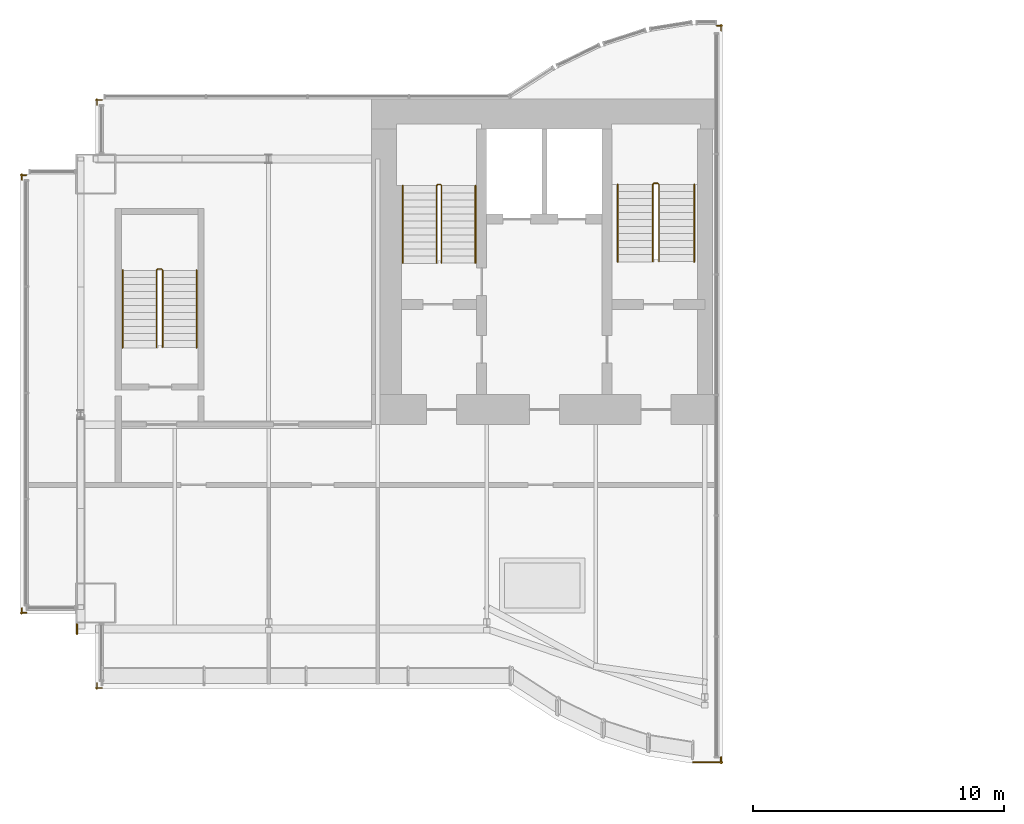
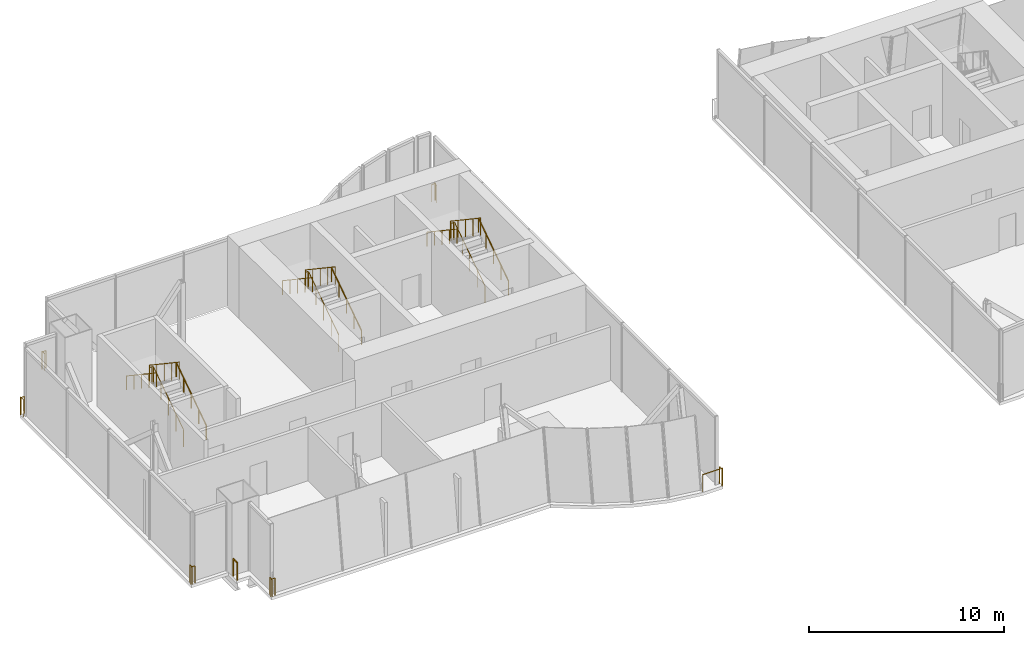
# One storey, part 12 of 14: 16 railings.
"""IFC4 building model written with IfcOpenShell, lengths in metres."""

from ifc_helpers import new_model, si_unit, direction, frame, origin, origin_2d, place, context, subcontext, project, spatial, circle, extrude, material, type_object, element, save


model = new_model("IFC4")

# Units and contexts
model_context = context("Model", 3, precision=1e-05, world=origin(), true_north=direction((0.0, 1.0)))
body_context = subcontext(model_context, "Body", "Model", "MODEL_VIEW")
ifc_project = project(units=[si_unit("LENGTHUNIT", "METRE"), si_unit("AREAUNIT", "SQUARE_METRE"), si_unit("VOLUMEUNIT", "CUBIC_METRE"), si_unit("PLANEANGLEUNIT", "RADIAN"), si_unit("MASSUNIT", "GRAM", prefix="KILO")], contexts=[model_context])

# Site, building, storey
site_placement = place(None, origin())
site = spatial("IfcSite", under=ifc_project, at=site_placement, CompositionType="ELEMENT")
building_placement = place(site_placement, origin())
building = spatial("IfcBuilding", under=site, at=building_placement, Name="Bicima Exchange Tower", CompositionType="ELEMENT")
storey_placement = place(building_placement, frame((0.0, 0.0, 352.39990234375)))
storey = spatial("IfcBuildingStorey", under=building, at=storey_placement, Name="L79", CompositionType="ELEMENT", Elevation=352.39990234375)

# Railings
ifc_material_1 = material(Name="Stainless steel and bonded safety glass", Category="steel")
railing_type_1 = type_object("IfcRailingType", Name="Edge guard 1100", PredefinedType="GUARDRAIL", material=ifc_material_1)
railing_1_placement = place(storey_placement, frame((-35.756103515625, -20.506103515625, 0.0)))
element("IfcRailing", 1, at=railing_1_placement, inside=storey, type_object=railing_type_1, Name="Edge guard L79 424", PredefinedType="GUARDRAIL", context=body_context, shape_type="SweptSolid", body=[
    extrude(circle(Radius=0.02392578125, at=origin_2d()), frame((0.0, 0.0, 1.076171875), z_axis=(-1.0, 0.0, 0.0), x_axis=(0.0, -1.0, 0.0)), (0.0, 0.0, 1.0), 0.243896484375),
    extrude(circle(Radius=0.02392578125, at=origin_2d()), frame((-0.243896484375, 0.0, 1.076171875), z_axis=(0.708833529934, -0.705375805398, 0.0), x_axis=(0.705375805398, 0.708833529934, 0.0)), (0.0, 0.0, 1.0), 0.070556640625),
    extrude(circle(Radius=0.02392578125, at=origin_2d()), frame((-0.19384765625, -0.0498046875, 1.076171875), z_axis=(0.0, 1.0, 0.0), x_axis=(-1.0, 0.0, 0.0)), (0.0, 0.0, 1.0), 0.247802734375),
    extrude(circle(Radius=0.02099609375, at=origin_2d()), origin(), (0.0, 0.0, 1.0), 1.052001953125),
    extrude(circle(Radius=0.02099609375, at=origin_2d()), frame((-0.243896484375, 0.0, 0.0)), (0.0, 0.0, 1.0), 1.052001953125),
    extrude(circle(Radius=0.02099609375, at=origin_2d()), frame((-0.19384765625, -0.0498046875, 0.0)), (0.0, 0.0, 1.0), 1.052001953125),
    extrude(circle(Radius=0.02099609375, at=origin_2d()), frame((-0.19384765625, 0.197998046875, 0.0)), (0.0, 0.0, 1.0), 1.052001953125),
])
railing_2_placement = place(storey_placement, frame((-35.949951171875, -3.2470703125, 0.0)))
element("IfcRailing", 2, at=railing_2_placement, inside=storey, type_object=railing_type_1, Name="Edge guard L79 425", PredefinedType="GUARDRAIL", context=body_context, shape_type="SweptSolid", body=[
    extrude(circle(Radius=0.02392578125, at=origin_2d()), frame((0.0, 0.0, 1.076171875), z_axis=(0.0, 1.0, 0.0), x_axis=(-1.0, 0.0, 0.0)), (0.0, 0.0, 1.0), 0.2470703125),
    extrude(circle(Radius=0.02392578125, at=origin_2d()), frame((0.0, 0.2470703125, 1.076171875), z_axis=(-0.707106781187, -0.707106781187, 0.0), x_axis=(0.707106781187, -0.707106781187, 0.0)), (0.0, 0.0, 1.0), 0.07080078125),
    extrude(circle(Radius=0.02392578125, at=origin_2d()), frame((-0.050048828125, 0.197021484375, 1.076171875), z_axis=(1.0, 0.0, 0.0), x_axis=(0.0, 1.0, 0.0)), (0.0, 0.0, 1.0), 0.243896484375),
    extrude(circle(Radius=0.02099609375, at=origin_2d()), origin(), (0.0, 0.0, 1.0), 1.052001953125),
    extrude(circle(Radius=0.02099609375, at=origin_2d()), frame((0.0, 0.2470703125, 0.0)), (0.0, 0.0, 1.0), 1.052001953125),
    extrude(circle(Radius=0.02099609375, at=origin_2d()), frame((-0.050048828125, 0.197021484375, 0.0)), (0.0, 0.0, 1.0), 1.052001953125),
    extrude(circle(Radius=0.02099609375, at=origin_2d()), frame((0.19384765625, 0.197021484375, 0.0)), (0.0, 0.0, 1.0), 1.052001953125),
])
railing_3_placement = place(storey_placement, frame((-32.949951171875, -0.243896484375, 0.0)))
element("IfcRailing", 3, at=railing_3_placement, inside=storey, type_object=railing_type_1, Name="Edge guard L79 426", PredefinedType="GUARDRAIL", context=body_context, shape_type="SweptSolid", body=[
    extrude(circle(Radius=0.02392578125, at=origin_2d()), frame((0.0, 0.0, 1.076171875), z_axis=(0.0, 1.0, 0.0), x_axis=(-1.0, 0.0, 0.0)), (0.0, 0.0, 1.0), 0.243896484375),
    extrude(circle(Radius=0.02392578125, at=origin_2d()), frame((0.0, 0.243896484375, 1.076171875), z_axis=(-0.707106781187, -0.707106781187, 0.0), x_axis=(0.707106781187, -0.707106781187, 0.0)), (0.0, 0.0, 1.0), 0.07080078125),
    extrude(circle(Radius=0.02392578125, at=origin_2d()), frame((-0.050048828125, 0.19384765625, 1.076171875), z_axis=(1.0, 0.0, 0.0), x_axis=(0.0, 1.0, 0.0)), (0.0, 0.0, 1.0), 0.25),
    extrude(circle(Radius=0.02099609375, at=origin_2d()), origin(), (0.0, 0.0, 1.0), 1.052001953125),
    extrude(circle(Radius=0.02099609375, at=origin_2d()), frame((0.0, 0.243896484375, 0.0)), (0.0, 0.0, 1.0), 1.052001953125),
    extrude(circle(Radius=0.02099609375, at=origin_2d()), frame((-0.050048828125, 0.19384765625, 0.0)), (0.0, 0.0, 1.0), 1.052001953125),
    extrude(circle(Radius=0.02099609375, at=origin_2d()), frame((0.199951171875, 0.19384765625, 0.0)), (0.0, 0.0, 1.0), 1.052001953125),
])
railing_4_placement = place(storey_placement, frame((-8.23291015625, 2.9130859375, 0.0)))
element("IfcRailing", 4, at=railing_4_placement, inside=storey, type_object=railing_type_1, Name="Edge guard L79 427", PredefinedType="GUARDRAIL", context=body_context, shape_type="SweptSolid", body=[
    extrude(circle(Radius=0.02392578125, at=origin_2d()), frame((0.0, 0.0, 1.076171875), z_axis=(1.0, 0.0, 0.0), x_axis=(0.0, 1.0, 0.0)), (0.0, 0.0, 1.0), 0.23291015625),
    extrude(circle(Radius=0.02392578125, at=origin_2d()), frame((0.23291015625, 0.0, 1.076171875), z_axis=(-0.708833529934, 0.705375805398, 0.0), x_axis=(-0.705375805398, -0.708833529934, 0.0)), (0.0, 0.0, 1.0), 0.070556640625),
    extrude(circle(Radius=0.02392578125, at=origin_2d()), frame((0.182861328125, 0.0498046875, 1.076171875), z_axis=(0.0, -1.0, 0.0), x_axis=(1.0, 0.0, 0.0)), (0.0, 0.0, 1.0), 0.25),
    extrude(circle(Radius=0.02099609375, at=origin_2d()), origin(), (0.0, 0.0, 1.0), 1.052001953125),
    extrude(circle(Radius=0.02099609375, at=origin_2d()), frame((0.23291015625, 0.0, 0.0)), (0.0, 0.0, 1.0), 1.052001953125),
    extrude(circle(Radius=0.02099609375, at=origin_2d()), frame((0.182861328125, 0.0498046875, 0.0)), (0.0, 0.0, 1.0), 1.052001953125),
    extrude(circle(Radius=0.02099609375, at=origin_2d()), frame((0.182861328125, -0.2001953125, 0.0)), (0.0, 0.0, 1.0), 1.052001953125),
])
railing_5_placement = place(storey_placement, frame((-8.050048828125, -26.26904296875, 0.0)))
element("IfcRailing", 5, at=railing_5_placement, inside=storey, type_object=railing_type_1, Name="Edge guard L79 428", PredefinedType="GUARDRAIL", context=body_context, shape_type="SweptSolid", body=[
    extrude(circle(Radius=0.02392578125, at=origin_2d()), frame((0.0, 0.0, 1.076171875), z_axis=(0.0, -1.0, 0.0), x_axis=(1.0, 0.0, 0.0)), (0.0, 0.0, 1.0), 0.2490234375),
    extrude(circle(Radius=0.02392578125, at=origin_2d()), frame((0.0, -0.2490234375, 1.076171875), z_axis=(0.707106781187, 0.707106781187, 0.0), x_axis=(-0.707106781187, 0.707106781187, 0.0)), (0.0, 0.0, 1.0), 0.07080078125),
    extrude(circle(Radius=0.02392578125, at=origin_2d()), frame((0.050048828125, -0.198974609375, 1.076171875), z_axis=(-1.0, 0.0, 0.0), x_axis=(0.0, -1.0, 0.0)), (0.0, 0.0, 1.0), 1.1669921875),
    extrude(circle(Radius=0.02099609375, at=origin_2d()), origin(), (0.0, 0.0, 1.0), 1.052001953125),
    extrude(circle(Radius=0.02099609375, at=origin_2d()), frame((0.0, -0.2490234375, 0.0)), (0.0, 0.0, 1.0), 1.052001953125),
    extrude(circle(Radius=0.02099609375, at=origin_2d()), frame((0.050048828125, -0.198974609375, 0.0)), (0.0, 0.0, 1.0), 1.052001953125),
    extrude(circle(Radius=0.02099609375, at=origin_2d()), frame((-1.116943359375, -0.198974609375, 0.0)), (0.0, 0.0, 1.0), 1.052001953125),
])
railing_6_placement = place(storey_placement, frame((-32.75, -23.506103515625, 0.0)))
element("IfcRailing", 6, at=railing_6_placement, inside=storey, type_object=railing_type_1, Name="Edge guard L79 429", PredefinedType="GUARDRAIL", context=body_context, shape_type="SweptSolid", body=[
    extrude(circle(Radius=0.02392578125, at=origin_2d()), frame((0.0, 0.0, 1.076171875), z_axis=(-1.0, 0.0, 0.0), x_axis=(0.0, -1.0, 0.0)), (0.0, 0.0, 1.0), 0.25),
    extrude(circle(Radius=0.02392578125, at=origin_2d()), frame((-0.25, 0.0, 1.076171875), z_axis=(0.708833529934, -0.705375805398, 0.0), x_axis=(0.705375805398, 0.708833529934, 0.0)), (0.0, 0.0, 1.0), 0.070556640625),
    extrude(circle(Radius=0.02392578125, at=origin_2d()), frame((-0.199951171875, -0.0498046875, 1.076171875), z_axis=(0.0, 1.0, 0.0), x_axis=(-1.0, 0.0, 0.0)), (0.0, 0.0, 1.0), 0.244873046875),
    extrude(circle(Radius=0.02099609375, at=origin_2d()), origin(), (0.0, 0.0, 1.0), 1.052001953125),
    extrude(circle(Radius=0.02099609375, at=origin_2d()), frame((-0.25, 0.0, 0.0)), (0.0, 0.0, 1.0), 1.052001953125),
    extrude(circle(Radius=0.02099609375, at=origin_2d()), frame((-0.199951171875, -0.0498046875, 0.0)), (0.0, 0.0, 1.0), 1.052001953125),
    extrude(circle(Radius=0.02099609375, at=origin_2d()), frame((-0.199951171875, 0.195068359375, 0.0)), (0.0, 0.0, 1.0), 1.052001953125),
])
railing_7_placement = place(storey_placement, frame((-33.75, -21.35595703125, 0.0)))
element("IfcRailing", 7, at=railing_7_placement, inside=storey, type_object=railing_type_1, Name="Edge guard L79 430", PredefinedType="GUARDRAIL", context=body_context, shape_type="SweptSolid", body=[
    extrude(circle(Radius=0.02392578125, at=origin_2d()), frame((0.0, 0.0, 1.076171875), z_axis=(0.0, 1.0, 0.0), x_axis=(-1.0, 0.0, 0.0)), (0.0, 0.0, 1.0), 0.39990234375),
    extrude(circle(Radius=0.02099609375, at=origin_2d()), origin(), (0.0, 0.0, 1.0), 1.052001953125),
    extrude(circle(Radius=0.02099609375, at=origin_2d()), frame((0.0, 0.39990234375, 0.0)), (0.0, 0.0, 1.0), 1.052001953125),
])
ifc_material_2 = material(Name="Stainless steel", Category="steel")
railing_type_2 = type_object("IfcRailingType", Name="Stair guard 1100", PredefinedType="GUARDRAIL", material=ifc_material_2)
railing_8_placement = place(storey_placement, frame((-19.199951171875, -6.550048828125, 0.1875)))
element("IfcRailing", 8, at=railing_8_placement, inside=storey, type_object=railing_type_2, Name="L79 ST-W stair guard 1", PredefinedType="GUARDRAIL", context=body_context, shape_type="SweptSolid", body=[
    extrude(circle(Radius=0.02392578125, at=origin_2d()), frame((0.0, 0.0, 1.076171875), z_axis=(0.0, 0.830913701846, 0.55640131208), x_axis=(-1.0, 0.0, 0.0)), (0.0, 0.0, 1.0), 3.706787109375),
    extrude(circle(Radius=0.02392578125, at=origin_2d()), frame((0.0, 3.080078125, 3.138671875), z_axis=(-0.707106781187, 0.707106781187, 0.0), x_axis=(-0.707106781187, -0.707106781187, 0.0)), (0.0, 0.0, 1.0), 0.07080078125),
    extrude(circle(Radius=0.02392578125, at=origin_2d()), frame((-0.050048828125, 3.130126953125, 3.138671875), z_axis=(-1.0, 0.0, 0.0), x_axis=(0.0, -1.0, 0.0)), (0.0, 0.0, 1.0), 0.10009765625),
    extrude(circle(Radius=0.02392578125, at=origin_2d()), frame((-0.150146484375, 3.130126953125, 3.138671875), z_axis=(-0.248583702486, -0.249802250048, 0.935844527007), x_axis=(0.708833529934, -0.705375805398, 0.0)), (0.0, 0.0, 1.0), 0.200439453125),
    extrude(circle(Radius=0.02392578125, at=origin_2d()), frame((-0.199951171875, 3.080078125, 3.326171875), z_axis=(0.0, -0.830913701846, 0.55640131208), x_axis=(1.0, 0.0, 0.0)), (0.0, 0.0, 1.0), 3.706787109375),
    extrude(circle(Radius=0.02099609375, at=origin_2d()), origin(), (0.0, 0.0, 1.0), 1.052001953125),
    extrude(circle(Radius=0.02099609375, at=origin_2d()), frame((0.0, 0.77001953125, 0.515625)), (0.0, 0.0, 1.0), 1.052001953125),
    extrude(circle(Radius=0.02099609375, at=origin_2d()), frame((0.0, 1.5400390625, 1.03125)), (0.0, 0.0, 1.0), 1.052001953125),
    extrude(circle(Radius=0.02099609375, at=origin_2d()), frame((0.0, 2.31005859375, 1.546875)), (0.0, 0.0, 1.0), 1.052001953125),
    extrude(circle(Radius=0.02099609375, at=origin_2d()), frame((0.0, 3.080078125, 2.0625)), (0.0, 0.0, 1.0), 1.052001953125),
    extrude(circle(Radius=0.02099609375, at=origin_2d()), frame((-0.050048828125, 3.130126953125, 2.0625)), (0.0, 0.0, 1.0), 1.052001953125),
    extrude(circle(Radius=0.02099609375, at=origin_2d()), frame((-0.150146484375, 3.130126953125, 2.0625)), (0.0, 0.0, 1.0), 1.052001953125),
    extrude(circle(Radius=0.02099609375, at=origin_2d()), frame((-0.199951171875, 3.080078125, 2.25)), (0.0, 0.0, 1.0), 1.052001953125),
    extrude(circle(Radius=0.02099609375, at=origin_2d()), frame((-0.199951171875, 2.31005859375, 2.765625)), (0.0, 0.0, 1.0), 1.052001953125),
    extrude(circle(Radius=0.02099609375, at=origin_2d()), frame((-0.199951171875, 1.5400390625, 3.28125)), (0.0, 0.0, 1.0), 1.052001953125),
    extrude(circle(Radius=0.02099609375, at=origin_2d()), frame((-0.199951171875, 0.77001953125, 3.796875)), (0.0, 0.0, 1.0), 1.052001953125),
    extrude(circle(Radius=0.02099609375, at=origin_2d()), frame((-0.199951171875, 0.0, 4.3125)), (0.0, 0.0, 1.0), 1.052001953125),
])
railing_9_placement = place(storey_placement, frame((-10.52490234375, -6.5, 0.1875)))
element("IfcRailing", 9, at=railing_9_placement, inside=storey, type_object=railing_type_2, Name="L79 ST-CR stair guard 1", PredefinedType="GUARDRAIL", context=body_context, shape_type="SweptSolid", body=[
    extrude(circle(Radius=0.02392578125, at=origin_2d()), frame((0.0, 0.0, 1.076171875), z_axis=(0.0, 0.830913701846, 0.55640131208), x_axis=(-1.0, 0.0, 0.0)), (0.0, 0.0, 1.0), 3.706787109375),
    extrude(circle(Radius=0.02392578125, at=origin_2d()), frame((0.0, 3.080078125, 3.138671875), z_axis=(-0.708833529934, 0.705375805398, 0.0), x_axis=(-0.705375805398, -0.708833529934, 0.0)), (0.0, 0.0, 1.0), 0.070556640625),
    extrude(circle(Radius=0.02392578125, at=origin_2d()), frame((-0.050048828125, 3.1298828125, 3.138671875), z_axis=(-1.0, 0.0, 0.0), x_axis=(0.0, -1.0, 0.0)), (0.0, 0.0, 1.0), 0.150146484375),
    extrude(circle(Radius=0.02392578125, at=origin_2d()), frame((-0.2001953125, 3.1298828125, 3.138671875), z_axis=(-0.248659220195, -0.248659220195, 0.936128828968), x_axis=(0.707106781187, -0.707106781187, 0.0)), (0.0, 0.0, 1.0), 0.2001953125),
    extrude(circle(Radius=0.02392578125, at=origin_2d()), frame((-0.25, 3.080078125, 3.326171875), z_axis=(0.0, -0.830913701846, 0.55640131208), x_axis=(1.0, 0.0, 0.0)), (0.0, 0.0, 1.0), 3.706787109375),
    extrude(circle(Radius=0.02099609375, at=origin_2d()), origin(), (0.0, 0.0, 1.0), 1.052001953125),
    extrude(circle(Radius=0.02099609375, at=origin_2d()), frame((0.0, 0.77001953125, 0.515625)), (0.0, 0.0, 1.0), 1.052001953125),
    extrude(circle(Radius=0.02099609375, at=origin_2d()), frame((0.0, 1.5400390625, 1.03125)), (0.0, 0.0, 1.0), 1.052001953125),
    extrude(circle(Radius=0.02099609375, at=origin_2d()), frame((0.0, 2.31005859375, 1.546875)), (0.0, 0.0, 1.0), 1.052001953125),
    extrude(circle(Radius=0.02099609375, at=origin_2d()), frame((0.0, 3.080078125, 2.0625)), (0.0, 0.0, 1.0), 1.052001953125),
    extrude(circle(Radius=0.02099609375, at=origin_2d()), frame((-0.050048828125, 3.1298828125, 2.0625)), (0.0, 0.0, 1.0), 1.052001953125),
    extrude(circle(Radius=0.02099609375, at=origin_2d()), frame((-0.2001953125, 3.1298828125, 2.0625)), (0.0, 0.0, 1.0), 1.052001953125),
    extrude(circle(Radius=0.02099609375, at=origin_2d()), frame((-0.25, 3.080078125, 2.25)), (0.0, 0.0, 1.0), 1.052001953125),
    extrude(circle(Radius=0.02099609375, at=origin_2d()), frame((-0.25, 2.31005859375, 2.765625)), (0.0, 0.0, 1.0), 1.052001953125),
    extrude(circle(Radius=0.02099609375, at=origin_2d()), frame((-0.25, 1.5400390625, 3.28125)), (0.0, 0.0, 1.0), 1.052001953125),
    extrude(circle(Radius=0.02099609375, at=origin_2d()), frame((-0.25, 0.77001953125, 3.796875)), (0.0, 0.0, 1.0), 1.052001953125),
    extrude(circle(Radius=0.02099609375, at=origin_2d()), frame((-0.25, 0.0, 4.3125)), (0.0, 0.0, 1.0), 1.052001953125),
])
railing_10_placement = place(storey_placement, frame((-30.324951171875, -9.925048828125, 0.1875)))
element("IfcRailing", 10, at=railing_10_placement, inside=storey, type_object=railing_type_2, Name="L79 ST-WW stair guard 1", PredefinedType="GUARDRAIL", context=body_context, shape_type="SweptSolid", body=[
    extrude(circle(Radius=0.02392578125, at=origin_2d()), frame((0.0, 0.0, 1.076171875), z_axis=(0.0, 0.830913701846, 0.55640131208), x_axis=(-1.0, 0.0, 0.0)), (0.0, 0.0, 1.0), 3.706787109375),
    extrude(circle(Radius=0.02392578125, at=origin_2d()), frame((0.0, 3.080078125, 3.138671875), z_axis=(-0.707106781187, 0.707106781187, 0.0), x_axis=(-0.707106781187, -0.707106781187, 0.0)), (0.0, 0.0, 1.0), 0.07080078125),
    extrude(circle(Radius=0.02392578125, at=origin_2d()), frame((-0.050048828125, 3.130126953125, 3.138671875), z_axis=(-1.0, 0.0, 0.0), x_axis=(0.0, -1.0, 0.0)), (0.0, 0.0, 1.0), 0.14990234375),
    extrude(circle(Radius=0.02392578125, at=origin_2d()), frame((-0.199951171875, 3.130126953125, 3.138671875), z_axis=(-0.249726431254, -0.249726431254, 0.935560483917), x_axis=(0.707106781187, -0.707106781187, 0.0)), (0.0, 0.0, 1.0), 0.200439453125),
    extrude(circle(Radius=0.02392578125, at=origin_2d()), frame((-0.25, 3.080078125, 3.326171875), z_axis=(0.0, -0.830913701846, 0.55640131208), x_axis=(1.0, 0.0, 0.0)), (0.0, 0.0, 1.0), 3.706787109375),
    extrude(circle(Radius=0.02099609375, at=origin_2d()), origin(), (0.0, 0.0, 1.0), 1.052001953125),
    extrude(circle(Radius=0.02099609375, at=origin_2d()), frame((0.0, 0.77001953125, 0.515625)), (0.0, 0.0, 1.0), 1.052001953125),
    extrude(circle(Radius=0.02099609375, at=origin_2d()), frame((0.0, 1.5400390625, 1.03125)), (0.0, 0.0, 1.0), 1.052001953125),
    extrude(circle(Radius=0.02099609375, at=origin_2d()), frame((0.0, 2.31005859375, 1.546875)), (0.0, 0.0, 1.0), 1.052001953125),
    extrude(circle(Radius=0.02099609375, at=origin_2d()), frame((0.0, 3.080078125, 2.0625)), (0.0, 0.0, 1.0), 1.052001953125),
    extrude(circle(Radius=0.02099609375, at=origin_2d()), frame((-0.050048828125, 3.130126953125, 2.0625)), (0.0, 0.0, 1.0), 1.052001953125),
    extrude(circle(Radius=0.02099609375, at=origin_2d()), frame((-0.199951171875, 3.130126953125, 2.0625)), (0.0, 0.0, 1.0), 1.052001953125),
    extrude(circle(Radius=0.02099609375, at=origin_2d()), frame((-0.25, 3.080078125, 2.25)), (0.0, 0.0, 1.0), 1.052001953125),
    extrude(circle(Radius=0.02099609375, at=origin_2d()), frame((-0.25, 2.31005859375, 2.765625)), (0.0, 0.0, 1.0), 1.052001953125),
    extrude(circle(Radius=0.02099609375, at=origin_2d()), frame((-0.25, 1.5400390625, 3.28125)), (0.0, 0.0, 1.0), 1.052001953125),
    extrude(circle(Radius=0.02099609375, at=origin_2d()), frame((-0.25, 0.77001953125, 3.796875)), (0.0, 0.0, 1.0), 1.052001953125),
    extrude(circle(Radius=0.02099609375, at=origin_2d()), frame((-0.25, 0.0, 4.3125)), (0.0, 0.0, 1.0), 1.052001953125),
])
railing_type_3 = type_object("IfcRailingType", Name="Stair handrail 900", PredefinedType="HANDRAIL", material=ifc_material_2)
railing_11_placement = place(storey_placement, frame((-17.85009765625, -6.550048828125, 0.1875)))
element("IfcRailing", 11, at=railing_11_placement, inside=storey, type_object=railing_type_3, Name="L79 ST-W stair handrail 1", PredefinedType="HANDRAIL", context=body_context, shape_type="SweptSolid", body=[
    extrude(circle(Radius=0.02392578125, at=origin_2d()), frame((0.0, 0.0, 0.8759765625), z_axis=(0.0, 0.830913701846, 0.55640131208), x_axis=(-1.0, 0.0, 0.0)), (0.0, 0.0, 1.0), 3.706787109375),
    extrude(circle(Radius=0.02099609375, at=origin_2d()), origin(), (0.0, 0.0, 1.0), 0.851806640625),
    extrude(circle(Radius=0.02099609375, at=origin_2d()), frame((0.0, 0.77001953125, 0.515625)), (0.0, 0.0, 1.0), 0.851806640625),
    extrude(circle(Radius=0.02099609375, at=origin_2d()), frame((0.0, 1.5400390625, 1.03125)), (0.0, 0.0, 1.0), 0.851806640625),
    extrude(circle(Radius=0.02099609375, at=origin_2d()), frame((0.0, 2.31005859375, 1.546875)), (0.0, 0.0, 1.0), 0.851806640625),
    extrude(circle(Radius=0.02099609375, at=origin_2d()), frame((0.0, 3.080078125, 2.0625)), (0.0, 0.0, 1.0), 0.851806640625),
])
railing_12_placement = place(storey_placement, frame((-20.75, -3.469970703125, 2.4375)))
element("IfcRailing", 12, at=railing_12_placement, inside=storey, type_object=railing_type_3, Name="L79 ST-W stair handrail 2", PredefinedType="HANDRAIL", context=body_context, shape_type="SweptSolid", body=[
    extrude(circle(Radius=0.02392578125, at=origin_2d()), frame((0.0, 0.0, 0.8759765625), z_axis=(0.0, -0.830913701846, 0.55640131208), x_axis=(1.0, 0.0, 0.0)), (0.0, 0.0, 1.0), 3.706787109375),
    extrude(circle(Radius=0.02099609375, at=origin_2d()), origin(), (0.0, 0.0, 1.0), 0.851806640625),
    extrude(circle(Radius=0.02099609375, at=origin_2d()), frame((0.0, -0.77001953125, 0.515625)), (0.0, 0.0, 1.0), 0.851806640625),
    extrude(circle(Radius=0.02099609375, at=origin_2d()), frame((0.0, -1.5400390625, 1.03125)), (0.0, 0.0, 1.0), 0.851806640625),
    extrude(circle(Radius=0.02099609375, at=origin_2d()), frame((0.0, -2.31005859375, 1.546875)), (0.0, 0.0, 1.0), 0.851806640625),
    extrude(circle(Radius=0.02099609375, at=origin_2d()), frame((0.0, -3.080078125, 2.0625)), (0.0, 0.0, 1.0), 0.851806640625),
])
railing_13_placement = place(storey_placement, frame((-9.125, -6.5, 0.1875)))
element("IfcRailing", 13, at=railing_13_placement, inside=storey, type_object=railing_type_3, Name="L79 ST-CR stair handrail 1", PredefinedType="HANDRAIL", context=body_context, shape_type="SweptSolid", body=[
    extrude(circle(Radius=0.02392578125, at=origin_2d()), frame((0.0, 0.0, 0.8759765625), z_axis=(0.0, 0.830913701846, 0.55640131208), x_axis=(-1.0, 0.0, 0.0)), (0.0, 0.0, 1.0), 3.706787109375),
    extrude(circle(Radius=0.02099609375, at=origin_2d()), origin(), (0.0, 0.0, 1.0), 0.851806640625),
    extrude(circle(Radius=0.02099609375, at=origin_2d()), frame((0.0, 0.77001953125, 0.515625)), (0.0, 0.0, 1.0), 0.851806640625),
    extrude(circle(Radius=0.02099609375, at=origin_2d()), frame((0.0, 1.5400390625, 1.03125)), (0.0, 0.0, 1.0), 0.851806640625),
    extrude(circle(Radius=0.02099609375, at=origin_2d()), frame((0.0, 2.31005859375, 1.546875)), (0.0, 0.0, 1.0), 0.851806640625),
    extrude(circle(Radius=0.02099609375, at=origin_2d()), frame((0.0, 3.080078125, 2.0625)), (0.0, 0.0, 1.0), 0.851806640625),
])
railing_14_placement = place(storey_placement, frame((-12.175048828125, -3.419921875, 2.4375)))
element("IfcRailing", 14, at=railing_14_placement, inside=storey, type_object=railing_type_3, Name="L79 ST-CR stair handrail 2", PredefinedType="HANDRAIL", context=body_context, shape_type="SweptSolid", body=[
    extrude(circle(Radius=0.02392578125, at=origin_2d()), frame((0.0, 0.0, 0.8759765625), z_axis=(0.0, -0.830913701846, 0.55640131208), x_axis=(1.0, 0.0, 0.0)), (0.0, 0.0, 1.0), 3.706787109375),
    extrude(circle(Radius=0.02099609375, at=origin_2d()), origin(), (0.0, 0.0, 1.0), 0.851806640625),
    extrude(circle(Radius=0.02099609375, at=origin_2d()), frame((0.0, -0.77001953125, 0.515625)), (0.0, 0.0, 1.0), 0.851806640625),
    extrude(circle(Radius=0.02099609375, at=origin_2d()), frame((0.0, -1.5400390625, 1.03125)), (0.0, 0.0, 1.0), 0.851806640625),
    extrude(circle(Radius=0.02099609375, at=origin_2d()), frame((0.0, -2.31005859375, 1.546875)), (0.0, 0.0, 1.0), 0.851806640625),
    extrude(circle(Radius=0.02099609375, at=origin_2d()), frame((0.0, -3.080078125, 2.0625)), (0.0, 0.0, 1.0), 0.851806640625),
])
railing_15_placement = place(storey_placement, frame((-28.97509765625, -9.925048828125, 0.1875)))
element("IfcRailing", 15, at=railing_15_placement, inside=storey, type_object=railing_type_3, Name="L79 ST-WW stair handrail 1", PredefinedType="HANDRAIL", context=body_context, shape_type="SweptSolid", body=[
    extrude(circle(Radius=0.02392578125, at=origin_2d()), frame((0.0, 0.0, 0.8759765625), z_axis=(0.0, 0.830913701846, 0.55640131208), x_axis=(-1.0, 0.0, 0.0)), (0.0, 0.0, 1.0), 3.706787109375),
    extrude(circle(Radius=0.02099609375, at=origin_2d()), origin(), (0.0, 0.0, 1.0), 0.851806640625),
    extrude(circle(Radius=0.02099609375, at=origin_2d()), frame((0.0, 0.77001953125, 0.515625)), (0.0, 0.0, 1.0), 0.851806640625),
    extrude(circle(Radius=0.02099609375, at=origin_2d()), frame((0.0, 1.5400390625, 1.03125)), (0.0, 0.0, 1.0), 0.851806640625),
    extrude(circle(Radius=0.02099609375, at=origin_2d()), frame((0.0, 2.31005859375, 1.546875)), (0.0, 0.0, 1.0), 0.851806640625),
    extrude(circle(Radius=0.02099609375, at=origin_2d()), frame((0.0, 3.080078125, 2.0625)), (0.0, 0.0, 1.0), 0.851806640625),
])
railing_16_placement = place(storey_placement, frame((-31.925048828125, -6.844970703125, 2.4375)))
element("IfcRailing", 16, at=railing_16_placement, inside=storey, type_object=railing_type_3, Name="L79 ST-WW stair handrail 2", PredefinedType="HANDRAIL", context=body_context, shape_type="SweptSolid", body=[
    extrude(circle(Radius=0.02392578125, at=origin_2d()), frame((0.0, 0.0, 0.8759765625), z_axis=(0.0, -0.830913701846, 0.55640131208), x_axis=(1.0, 0.0, 0.0)), (0.0, 0.0, 1.0), 3.706787109375),
    extrude(circle(Radius=0.02099609375, at=origin_2d()), origin(), (0.0, 0.0, 1.0), 0.851806640625),
    extrude(circle(Radius=0.02099609375, at=origin_2d()), frame((0.0, -0.77001953125, 0.515625)), (0.0, 0.0, 1.0), 0.851806640625),
    extrude(circle(Radius=0.02099609375, at=origin_2d()), frame((0.0, -1.5400390625, 1.03125)), (0.0, 0.0, 1.0), 0.851806640625),
    extrude(circle(Radius=0.02099609375, at=origin_2d()), frame((0.0, -2.31005859375, 1.546875)), (0.0, 0.0, 1.0), 0.851806640625),
    extrude(circle(Radius=0.02099609375, at=origin_2d()), frame((0.0, -3.080078125, 2.0625)), (0.0, 0.0, 1.0), 0.851806640625),
])

save(model, "model.ifc")
